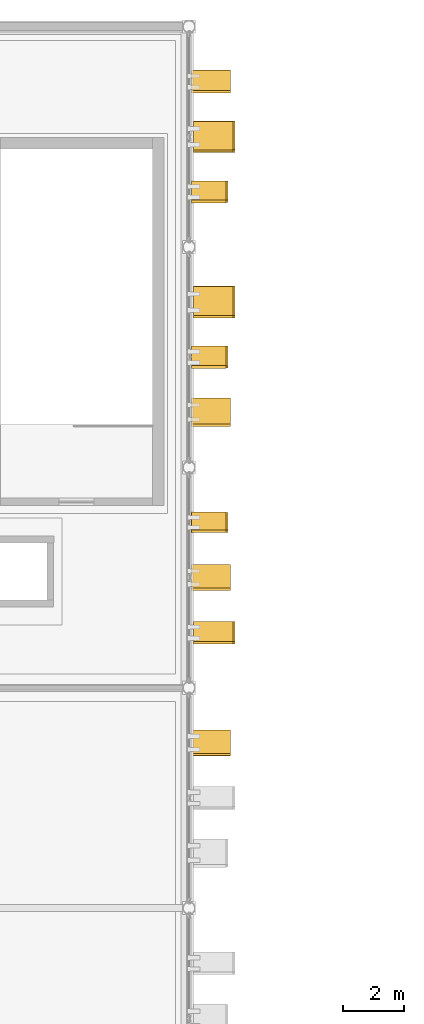
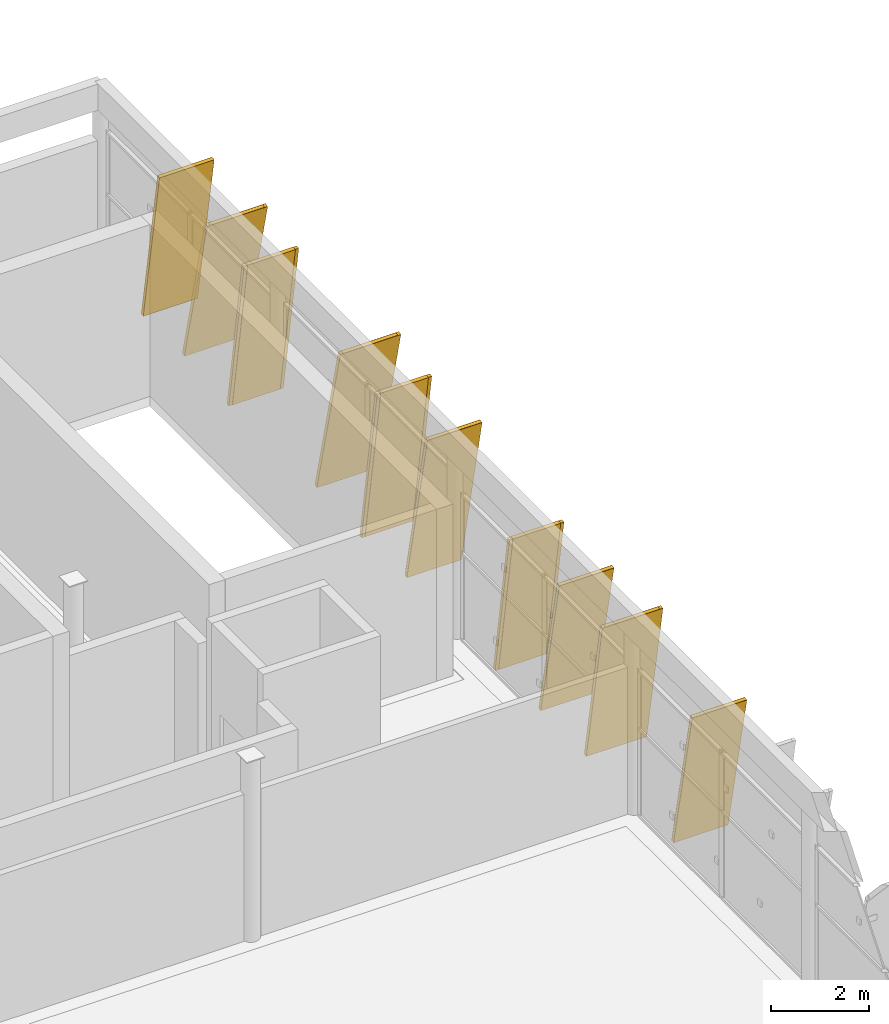
# One storey, part 52 of 52: 10 coverings, 10 shading devices.
"""IFC4 building model written with IfcOpenShell, lengths in metres."""

from ifc_helpers import new_model, si_unit, direction, frame, origin, origin_2d, place, context, subcontext, project, spatial, rectangle, extrude, material, material_profile, profile_set, type_object, element, save


model = new_model("IFC4")

# Units and contexts
model_context = context("Model", 3, precision=1e-05, world=origin(), true_north=direction((0.0, 1.0)))
body_context = subcontext(model_context, "Body", "Model", "MODEL_VIEW")
ifc_project = project(units=[si_unit("LENGTHUNIT", "METRE"), si_unit("AREAUNIT", "SQUARE_METRE"), si_unit("VOLUMEUNIT", "CUBIC_METRE"), si_unit("PLANEANGLEUNIT", "RADIAN"), si_unit("MASSUNIT", "GRAM", prefix="KILO")], contexts=[model_context])

# Site, building, storey
site_placement = place(None, origin())
site = spatial("IfcSite", under=ifc_project, at=site_placement, CompositionType="ELEMENT")
building_placement = place(site_placement, origin())
building = spatial("IfcBuilding", under=site, at=building_placement, Name="Celestram Park Convention Centre", CompositionType="ELEMENT")
storey_placement = place(building_placement, frame((0.0, 0.0, 24.300048828125)))
storey = spatial("IfcBuildingStorey", under=building, at=storey_placement, Name="L05", CompositionType="ELEMENT", Elevation=24.300048828125)

# Coverings
ifc_material_1 = material(Name="Timber-Toned Anodised Aluminium Alloy 6063-T6", Category="wood")
ifc_material_profile_1 = material_profile(ifc_material_1, rectangle(XDim=1.1201171875, YDim=0.090087890625, at=origin_2d()), Name="REED1120X90")
ifc_profile_set_1 = profile_set([ifc_material_profile_1], Name="Timber-Toned Anodised Aluminium Alloy 6063-T6")
covering_type_1 = type_object("IfcCoveringType", Name="ARC-COV-FIN1120", PredefinedType="CLADDING", material=ifc_profile_set_1)
covering_1_placement = place(storey_placement, frame((99.639892578125, 160.51123046875, 0.030029296875), z_axis=(0.0, -0.159873029239, 0.987137586419), x_axis=(1.0, 0.0, 0.0)))
element("IfcCovering", 1, at=covering_1_placement, inside=storey, type_object=covering_type_1, Name="Leaning timber-toned reed fin RFN-L05-0785", PredefinedType="CLADDING", context=body_context, shape_type="SweptSolid", body=[
    extrude(rectangle(XDim=1.1201171875, YDim=0.090087890625, at=origin_2d()), origin(), (0.0, 0.0, 1.0), 3.89404296875),
])
covering_2_placement = place(storey_placement, frame((99.639892578125, 155.119873046875, 0.03076171875), z_axis=(0.0, -0.159913636523, 0.987131008962), x_axis=(1.0, 0.0, 0.0)))
element("IfcCovering", 2, at=covering_2_placement, inside=storey, type_object=covering_type_1, Name="Leaning timber-toned reed fin RFN-L05-0787", PredefinedType="CLADDING", context=body_context, shape_type="SweptSolid", body=[
    extrude(rectangle(XDim=1.1201171875, YDim=0.090087890625, at=origin_2d()), origin(), (0.0, 0.0, 1.0), 4.0),
])
covering_3_placement = place(storey_placement, frame((99.639892578125, 149.69091796875, 0.0283203125), z_axis=(0.0, -0.159913875069, 0.987130970318), x_axis=(1.0, 0.0, 0.0)))
element("IfcCovering", 3, at=covering_3_placement, inside=storey, type_object=covering_type_1, Name="Leaning timber-toned reed fin RFN-L05-0789", PredefinedType="CLADDING", context=body_context, shape_type="SweptSolid", body=[
    extrude(rectangle(XDim=1.1201171875, YDim=0.090087890625, at=origin_2d()), origin(), (0.0, 0.0, 1.0), 3.63818359375),
])
ifc_material_profile_2 = material_profile(ifc_material_1, rectangle(XDim=1.280029296875, YDim=0.090087890625, at=origin_2d()), Name="REED1280X90")
ifc_profile_set_2 = profile_set([ifc_material_profile_2], Name="Timber-Toned Anodised Aluminium Alloy 6063-T6")
covering_type_2 = type_object("IfcCoveringType", Name="ARC-COV-FIN1280", PredefinedType="CLADDING", material=ifc_profile_set_2)
covering_4_placement = place(storey_placement, frame((99.719970703125, 164.13134765625, 0.033447265625), z_axis=(0.0, -0.170221839846, 0.985405766798), x_axis=(1.0, 0.0, 0.0)))
element("IfcCovering", 4, at=covering_4_placement, inside=storey, type_object=covering_type_2, Name="Leaning timber-toned reed fin RFN-L05-0783", PredefinedType="CLADDING", context=body_context, shape_type="SweptSolid", body=[
    extrude(rectangle(XDim=1.280029296875, YDim=0.090087890625, at=origin_2d()), origin(), (0.0, 0.0, 1.0), 3.89404296875),
])
covering_5_placement = place(storey_placement, frame((99.719970703125, 153.419189453125, 0.04931640625), z_axis=(0.0, -0.209595780652, 0.977788120573), x_axis=(1.0, 0.0, 0.0)))
element("IfcCovering", 5, at=covering_5_placement, inside=storey, type_object=covering_type_2, Name="Leaning timber-toned reed fin RFN-L05-0788", PredefinedType="CLADDING", context=body_context, shape_type="SweptSolid", body=[
    extrude(rectangle(XDim=1.280029296875, YDim=0.090087890625, at=origin_2d()), origin(), (0.0, 0.0, 1.0), 4.0),
])
for number, where, z_axis, x_axis, name in (
    (6, (99.719970703125, 147.981201171875, 0.04541015625), (0.0, -0.209584085746, 0.977790627385), (1.0, 0.0, 0.0), "Leaning timber-toned reed fin RFN-L05-0790"),
    (7, (99.719970703125, 142.581298828125, 0.04541015625), (0.0, -0.209648246417, 0.977776872694), (1.0, 0.0, 0.0), "Leaning timber-toned reed fin RFN-L05-0792"),
):
    element("IfcCovering", number, at=place(storey_placement, frame(where, z_axis=z_axis, x_axis=x_axis)), inside=storey, type_object=covering_type_2, Name=name, PredefinedType="CLADDING", context=body_context, shape_type="SweptSolid", body=[
        extrude(rectangle(XDim=1.280029296875, YDim=0.090087890625, at=origin_2d()), origin(), (0.0, 0.0, 1.0), 3.637939453125),
    ])
ifc_material_profile_3 = material_profile(ifc_material_1, rectangle(XDim=1.419921875, YDim=0.090087890625, at=origin_2d()), Name="REED1420X90")
ifc_profile_set_3 = profile_set([ifc_material_profile_3], Name="Timber-Toned Anodised Aluminium Alloy 6063-T6")
covering_type_3 = type_object("IfcCoveringType", Name="ARC-COV-FIN1420", PredefinedType="CLADDING", material=ifc_profile_set_3)
covering_6_placement = place(storey_placement, frame((99.7900390625, 162.46435546875, 0.06103515625), z_axis=(0.0, -0.238491540505, 0.971144574771), x_axis=(1.0, 0.0, 0.0)))
element("IfcCovering", 8, at=covering_6_placement, inside=storey, type_object=covering_type_3, Name="Leaning timber-toned reed fin RFN-L05-0784", PredefinedType="CLADDING", context=body_context, shape_type="SweptSolid", body=[
    extrude(rectangle(XDim=1.419921875, YDim=0.090087890625, at=origin_2d()), origin(), (0.0, 0.0, 1.0), 3.89404296875),
])
covering_7_placement = place(storey_placement, frame((99.7900390625, 157.0771484375, 0.062744140625), z_axis=(0.0, -0.238584316678, 0.971121786305), x_axis=(1.0, 0.0, 0.0)))
element("IfcCovering", 9, at=covering_7_placement, inside=storey, type_object=covering_type_3, Name="Leaning timber-toned reed fin RFN-L05-0786", PredefinedType="CLADDING", context=body_context, shape_type="SweptSolid", body=[
    extrude(rectangle(XDim=1.419921875, YDim=0.090087890625, at=origin_2d()), origin(), (0.0, 0.0, 1.0), 4.0),
])
covering_8_placement = place(storey_placement, frame((99.7900390625, 146.12841796875, 0.034912109375), z_axis=(0.0, -0.180526977983, 0.983570033206), x_axis=(1.0, 0.0, 0.0)))
element("IfcCovering", 10, at=covering_8_placement, inside=storey, type_object=covering_type_3, Name="Leaning timber-toned reed fin RFN-L05-0791", PredefinedType="CLADDING", context=body_context, shape_type="SweptSolid", body=[
    extrude(rectangle(XDim=1.419921875, YDim=0.090087890625, at=origin_2d()), origin(), (0.0, 0.0, 1.0), 3.637939453125),
])

# Shading devices
ifc_material_2 = material(Name="Anodised Bronze Aluminium Alloy 6063-T6", Category="aluminium")
ifc_material_profile_4 = material_profile(ifc_material_2, rectangle(XDim=1.280029296875, YDim=0.080078125, at=origin_2d()), Name="FIN1280X80")
ifc_profile_set_4 = profile_set([ifc_material_profile_4], Name="Anodised Bronze Aluminium Alloy 6063-T6")
shading_device_type = type_object("IfcShadingDeviceType", Name="ARC-FIN-BZ1280", PredefinedType="USERDEFINED", material=ifc_profile_set_4)
for number, where, z_axis, x_axis, name in (
    (11, (99.719970703125, 164.13134765625, 0.033447265625), (0.0, -0.170221839846, 0.985405766798), (1.0, 0.0, 0.0), "Expressive solar fin FN-L05-0783"),
    (12, (99.7900390625, 162.46435546875, 0.06103515625), (0.0, -0.238491540505, 0.971144574771), (1.0, 0.0, 0.0), "Expressive solar fin FN-L05-0784"),
    (13, (99.639892578125, 160.51123046875, 0.030029296875), (0.0, -0.159873029239, 0.987137586419), (1.0, 0.0, 0.0), "Expressive solar fin FN-L05-0785"),
):
    element("IfcShadingDevice", number, at=place(storey_placement, frame(where, z_axis=z_axis, x_axis=x_axis)), inside=storey, type_object=shading_device_type, Name=name, ObjectType="SOLAR_FIN", PredefinedType="USERDEFINED", context=body_context, shape_type="SweptSolid", body=[
        extrude(rectangle(XDim=1.280029296875, YDim=0.080078125, at=origin_2d()), origin(), (0.0, 0.0, 1.0), 3.89404296875),
    ])
for number, where, z_axis, x_axis, name in (
    (14, (99.7900390625, 157.0771484375, 0.062744140625), (0.0, -0.238584316678, 0.971121786305), (1.0, 0.0, 0.0), "Expressive solar fin FN-L05-0786"),
    (15, (99.639892578125, 155.119873046875, 0.03076171875), (0.0, -0.159913636523, 0.987131008962), (1.0, 0.0, 0.0), "Expressive solar fin FN-L05-0787"),
    (16, (99.719970703125, 153.419189453125, 0.04931640625), (0.0, -0.209595780652, 0.977788120573), (1.0, 0.0, 0.0), "Expressive solar fin FN-L05-0788"),
):
    element("IfcShadingDevice", number, at=place(storey_placement, frame(where, z_axis=z_axis, x_axis=x_axis)), inside=storey, type_object=shading_device_type, Name=name, ObjectType="SOLAR_FIN", PredefinedType="USERDEFINED", context=body_context, shape_type="SweptSolid", body=[
        extrude(rectangle(XDim=1.280029296875, YDim=0.080078125, at=origin_2d()), origin(), (0.0, 0.0, 1.0), 4.0),
    ])
shading_device_placement = place(storey_placement, frame((99.639892578125, 149.69091796875, 0.0283203125), z_axis=(0.0, -0.159913875069, 0.987130970318), x_axis=(1.0, 0.0, 0.0)))
element("IfcShadingDevice", 17, at=shading_device_placement, inside=storey, type_object=shading_device_type, Name="Expressive solar fin FN-L05-0789", ObjectType="SOLAR_FIN", PredefinedType="USERDEFINED", context=body_context, shape_type="SweptSolid", body=[
    extrude(rectangle(XDim=1.280029296875, YDim=0.080078125, at=origin_2d()), origin(), (0.0, 0.0, 1.0), 3.63818359375),
])
for number, where, z_axis, x_axis, name in (
    (18, (99.719970703125, 147.981201171875, 0.04541015625), (0.0, -0.209584085746, 0.977790627385), (1.0, 0.0, 0.0), "Expressive solar fin FN-L05-0790"),
    (19, (99.7900390625, 146.12841796875, 0.034912109375), (0.0, -0.180526977983, 0.983570033206), (1.0, 0.0, 0.0), "Expressive solar fin FN-L05-0791"),
    (20, (99.719970703125, 142.581298828125, 0.04541015625), (0.0, -0.209648246417, 0.977776872694), (1.0, 0.0, 0.0), "Expressive solar fin FN-L05-0792"),
):
    element("IfcShadingDevice", number, at=place(storey_placement, frame(where, z_axis=z_axis, x_axis=x_axis)), inside=storey, type_object=shading_device_type, Name=name, ObjectType="SOLAR_FIN", PredefinedType="USERDEFINED", context=body_context, shape_type="SweptSolid", body=[
        extrude(rectangle(XDim=1.280029296875, YDim=0.080078125, at=origin_2d()), origin(), (0.0, 0.0, 1.0), 3.637939453125),
    ])

save(model, "model.ifc")
